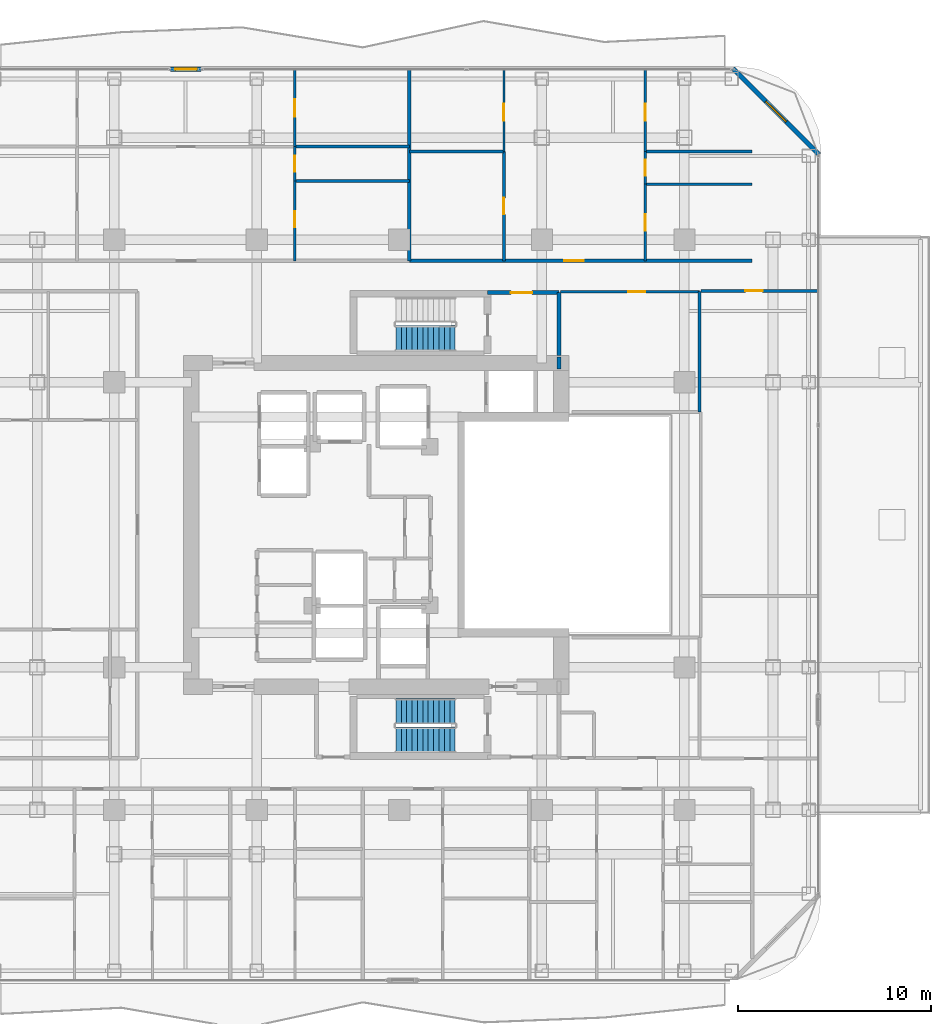
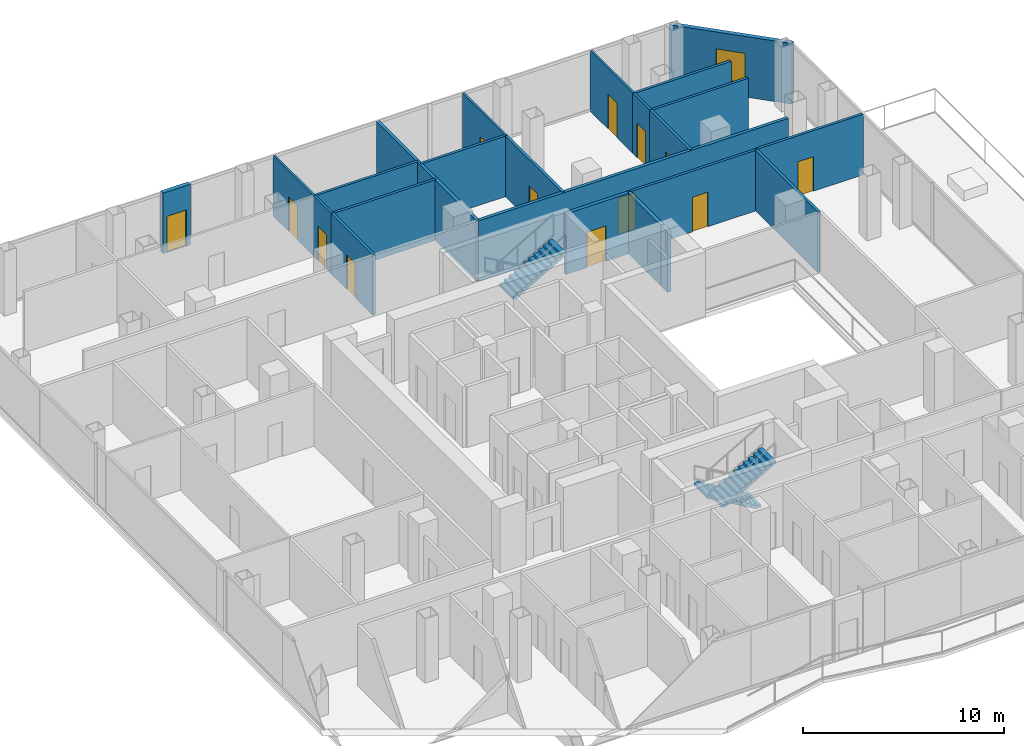
# One storey, part 23 of 27: 23 walls, 13 doors, 3 stair flights, 1 window, 14 openings, 2 elements without a shape of their own.
"""IFC4 building model written with IfcOpenShell, lengths in metres."""

from ifc_helpers import new_model, si_unit, direction, frame, frame_2d, origin, place, context, subcontext, project, spatial, polyline, rectangle, outline, extrude, material, layer, layer_set, type_object, element, fill, aggregate, save


model = new_model("IFC4")

# Units and contexts
model_context = context("Model", 3, precision=1e-05, world=origin(), true_north=direction((0.0, 1.0)))
body_context = subcontext(model_context, "Body", "Model", "MODEL_VIEW")
ifc_project = project(units=[si_unit("LENGTHUNIT", "METRE"), si_unit("AREAUNIT", "SQUARE_METRE"), si_unit("VOLUMEUNIT", "CUBIC_METRE"), si_unit("PLANEANGLEUNIT", "RADIAN"), si_unit("MASSUNIT", "GRAM", prefix="KILO")], contexts=[model_context])

# Site, building, storey
site_placement = place(None, origin())
site = spatial("IfcSite", under=ifc_project, at=site_placement, CompositionType="ELEMENT")
building_placement = place(site_placement, origin())
building = spatial("IfcBuilding", under=site, at=building_placement, Name="Khorvyn Point Tower", CompositionType="ELEMENT")
storey_placement = place(building_placement, frame((0.0, 0.0, 168.0)))
storey = spatial("IfcBuildingStorey", under=building, at=storey_placement, Name="L41", CompositionType="ELEMENT", Elevation=168.0)

# Wall, opening, door
ifc_material_1 = material(Name="Double acoustic gypsum on twin steel stud", Category="steel")
ifc_layer_1 = layer(ifc_material_1, 0.179931640625)
ifc_layer_set_1 = layer_set([ifc_layer_1], Name="Acoustic Double-Stud Apartment Demising Wall 180")
wall_type_1 = type_object("IfcWallType", Name="Acoustic Double-Stud Apartment Demising Wall 180", PredefinedType="PARTITIONING", material=ifc_layer_set_1)
wall_1_placement = place(storey_placement, frame((0.52587890625, 13.699951171875, 0.0), z_axis=(0.0, 0.0, 1.0), x_axis=(1.0, 0.0, 0.0)))
wall_1 = element("IfcWall", 1, at=wall_1_placement, inside=storey, type_object=wall_type_1, Name="Wall", PredefinedType="PARTITIONING", context=body_context, shape_type="SweptSolid", body=[
    extrude(rectangle(XDim=17.794189453125, YDim=0.179931640625, at=frame_2d((8.89697265625, 0.0))), origin(), (0.0, 0.0, 1.0), 3.679931640625),
])
opening_1_placement = place(wall_1_placement, frame((8.038818359375, 0.0, 0.0)))
opening_1 = element("IfcOpeningElement", 2, at=opening_1_placement, cuts=wall_1, Name="Opening ID-AP60", PredefinedType="OPENING", context=body_context, shape_type="SweptSolid", body=[
    extrude(rectangle(XDim=1.0, YDim=2.199951171875, at=frame_2d((0.5, 1.10009765625))), frame((0.0, 0.099853515625, 0.0), z_axis=(0.0, -1.0, 0.0), x_axis=(1.0, 0.0, 0.0)), (0.0, 0.0, 1.0), 0.199951171875),
])
ifc_material_2 = material(Name="Engineered hardwood fire-rated leaf", Category="wood")
door_type_1 = type_object("IfcDoorType", Name="Acoustic Solid-Core Timber Apartment Entrance Door 1000x2200", OperationType="NOTDEFINED", PredefinedType="DOOR", material=ifc_material_2)
door_1_placement = place(opening_1_placement, origin())
door_1 = element("IfcDoor", 3, at=door_1_placement, inside=storey, type_object=door_type_1, Name="Door", OperationType="SINGLE_SWING_RIGHT", OverallHeight=2.199951171875, OverallWidth=1.0, PredefinedType="DOOR", context=body_context, shape_type="SweptSolid", body=[
    extrude(rectangle(XDim=1.0, YDim=2.199951171875, at=frame_2d((0.5, 1.10009765625))), frame((0.0, 0.02490234375, 0.0), z_axis=(0.0, -1.0, 0.0), x_axis=(1.0, 0.0, 0.0)), (0.0, 0.0, 1.0), 0.050048828125),
])
fill(opening_1, door_1)

# Wall
wall_2_placement = place(storey_placement, frame((0.52587890625, 13.699951171875, 0.0), z_axis=(0.0, 0.0, 1.0), x_axis=(0.0, 1.0, 0.0)))
element("IfcWall", 4, at=wall_2_placement, inside=storey, type_object=wall_type_1, Name="Wall", PredefinedType="PARTITIONING", context=body_context, shape_type="SweptSolid", body=[
    extrude(rectangle(XDim=9.929931640625, YDim=0.179931640625, at=frame_2d((4.96484375, 0.0))), origin(), (0.0, 0.0, 1.0), 3.679931640625),
])

# Wall, opening, door
ifc_material_3 = material(Name="Pale anodised aluminium rainscreen on steel stud", Category="steel")
ifc_layer_2 = layer(ifc_material_3, 0.239990234375)
ifc_layer_set_2 = layer_set([ifc_layer_2], Name="Anodised Aluminium Insulated Corner Spandrel Wall 240")
wall_type_2 = type_object("IfcWallType", Name="Anodised Aluminium Insulated Corner Spandrel Wall 240", PredefinedType="SOLIDWALL", material=ifc_layer_set_2)
wall_3_placement = place(storey_placement, frame((-11.866943359375, 23.64990234375, 0.0), z_axis=(0.0, 0.0, 1.0), x_axis=(1.0, 0.0, 0.0)))
wall_3 = element("IfcWall", 5, at=wall_3_placement, inside=storey, type_object=wall_type_2, Name="L41 North Outdoor Threshold Wall", PredefinedType="SOLIDWALL", context=body_context, shape_type="SweptSolid", body=[
    extrude(rectangle(XDim=1.579833984375, YDim=0.239990234375, at=frame_2d((0.7900390625, 0.0))), origin(), (0.0, 0.0, 1.0), 3.679931640625),
])
opening_2_placement = place(wall_3_placement, frame((0.239990234375, 0.0, 0.0)))
opening_2 = element("IfcOpeningElement", 6, at=opening_2_placement, cuts=wall_3, Name="Opening BD-1122", PredefinedType="OPENING", context=body_context, shape_type="SweptSolid", body=[
    extrude(rectangle(XDim=1.10009765625, YDim=2.199951171875, at=frame_2d((0.550048828125, 1.10009765625))), frame((0.0, 0.1298828125, 0.0), z_axis=(0.0, -1.0, 0.0), x_axis=(1.0, 0.0, 0.0)), (0.0, 0.0, 1.0), 0.260009765625),
])
ifc_material_4 = material(Name="Anodised aluminium 6063-T6 and laminated Low-E glass", Category="aluminium")
door_type_2 = type_object("IfcDoorType", Name="Glazed Balcony and Terrace Threshold Door 1100x2200", OperationType="NOTDEFINED", PredefinedType="DOOR", material=ifc_material_4)
door_2_placement = place(opening_2_placement, origin())
door_2 = element("IfcDoor", 7, at=door_2_placement, inside=storey, type_object=door_type_2, Name="L41 North Glazed Balcony Outdoor Door", OperationType="SINGLE_SWING_LEFT", OverallHeight=2.199951171875, OverallWidth=1.10009765625, PredefinedType="DOOR", context=body_context, shape_type="SweptSolid", body=[
    extrude(rectangle(XDim=1.10009765625, YDim=2.199951171875, at=frame_2d((0.550048828125, 1.10009765625))), frame((0.0, 0.02490234375, 0.0), z_axis=(0.0, -1.0, 0.0), x_axis=(1.0, 0.0, 0.0)), (0.0, 0.0, 1.0), 0.050048828125),
])
fill(opening_2, door_2)

# Wall, opening, window
wall_4_placement = place(storey_placement, frame((17.3076171875, 23.6923828125, 0.0), z_axis=(0.0, 0.0, 1.0), x_axis=(0.707106781187, -0.707106781187, 0.0)))
wall_4 = element("IfcWall", 8, at=wall_4_placement, inside=storey, type_object=wall_type_2, Name="L41 Rounded Corner Wall NE", PredefinedType="SOLIDWALL", context=body_context, shape_type="SweptSolid", body=[
    extrude(rectangle(XDim=6.342529296875, YDim=0.239990234375, at=frame_2d((3.17138671875, 0.0))), origin(), (0.0, 0.0, 1.0), 3.679931640625),
])
opening_3_placement = place(wall_4_placement, frame((2.42138671875, 0.0, 0.800048828125)))
opening_3 = element("IfcOpeningElement", 9, at=opening_3_placement, cuts=wall_4, Name="Opening WN-1518", PredefinedType="OPENING", context=body_context, shape_type="SweptSolid", body=[
    extrude(rectangle(XDim=1.5, YDim=1.85009765625, at=frame_2d((0.75, 0.925048828125))), frame((0.0, 0.1298828125, 0.0), z_axis=(0.0, -1.0, 0.0), x_axis=(1.0, 0.0, 0.0)), (0.0, 0.0, 1.0), 0.260009765625),
])
window_type = type_object("IfcWindowType", Name="Anodised Aluminium Rounded-Corner Panoramic Window 1500x1850", PartitioningType="SINGLE_PANEL", PredefinedType="WINDOW", material=ifc_material_4)
window_placement = place(opening_3_placement, origin())
window = element("IfcWindow", 10, at=window_placement, inside=storey, type_object=window_type, Name="L41 Corner Panoramic Window NE", OverallHeight=1.85009765625, OverallWidth=1.5, PartitioningType="SINGLE_PANEL", PredefinedType="WINDOW", context=body_context, shape_type="SweptSolid", body=[
    extrude(rectangle(XDim=1.5, YDim=1.85009765625, at=frame_2d((0.75, 0.925048828125))), frame((0.0, 0.030029296875, 0.0), z_axis=(0.0, -1.0, 0.0), x_axis=(1.0, 0.0, 0.0)), (0.0, 0.0, 1.0), 0.06005859375),
])
fill(opening_3, window)

# Wall, opening, door
ifc_material_5 = material(Name="Concrete C40/50", Category="concrete")
ifc_layer_3 = layer(ifc_material_5, 0.199951171875)
ifc_layer_set_3 = layer_set([ifc_layer_3], Name="Concrete C40/50 Fire-Lobby Compartment Wall 200")
wall_type_3 = type_object("IfcWallType", Name="Concrete C40/50 Fire-Lobby Compartment Wall 200", PredefinedType="SOLIDWALL", material=ifc_layer_set_3)
wall_5_placement = place(storey_placement, frame((4.580078125, 12.06005859375, 0.0), z_axis=(0.0, 0.0, 1.0), x_axis=(1.0, 0.0, 0.0)))
wall_5 = element("IfcWall", 11, at=wall_5_placement, inside=storey, type_object=wall_type_3, Name="Wall", PredefinedType="SOLIDWALL", context=body_context, shape_type="SweptSolid", body=[
    extrude(rectangle(XDim=3.699951171875, YDim=0.199951171875, at=frame_2d((1.85009765625, 0.0))), origin(), (0.0, 0.0, 1.0), 3.679931640625),
])
opening_4_placement = place(wall_5_placement, frame((1.21240234375, 0.0, 0.0)))
opening_4 = element("IfcOpeningElement", 12, at=opening_4_placement, cuts=wall_5, Name="Opening ID-FL90", PredefinedType="OPENING", context=body_context, shape_type="SweptSolid", body=[
    extrude(rectangle(XDim=1.10009765625, YDim=2.14990234375, at=frame_2d((0.550048828125, 1.074951171875))), frame((0.0, 0.10986328125, 0.0), z_axis=(0.0, -1.0, 0.0), x_axis=(1.0, 0.0, 0.0)), (0.0, 0.0, 1.0), 0.219970703125),
])
ifc_material_6 = material(Name="Galvanised powder-coated steel", Category="steel")
door_type_3 = type_object("IfcDoorType", Name="Fire-Rated Steel Lobby and Stair Door 1100x2150", OperationType="NOTDEFINED", PredefinedType="DOOR", material=ifc_material_6)
door_3_placement = place(opening_4_placement, origin())
door_3 = element("IfcDoor", 13, at=door_3_placement, inside=storey, type_object=door_type_3, Name="Door", OperationType="SINGLE_SWING_LEFT", OverallHeight=2.14990234375, OverallWidth=1.10009765625, PredefinedType="DOOR", context=body_context, shape_type="SweptSolid", body=[
    extrude(rectangle(XDim=1.10009765625, YDim=2.14990234375, at=frame_2d((0.550048828125, 1.074951171875))), frame((0.0, 0.02490234375, 0.0), z_axis=(0.0, -1.0, 0.0), x_axis=(1.0, 0.0, 0.0)), (0.0, 0.0, 1.0), 0.050048828125),
])
fill(opening_4, door_3)

# Walls
wall_6_placement = place(storey_placement, frame((8.280029296875, 8.800048828125, 0.0), z_axis=(0.0, 0.0, 1.0), x_axis=(0.0, 1.0, 0.0)))
element("IfcWall", 14, at=wall_6_placement, inside=storey, type_object=wall_type_3, Name="Wall", PredefinedType="SOLIDWALL", context=body_context, shape_type="SweptSolid", body=[
    extrude(rectangle(XDim=3.260009765625, YDim=0.199951171875, at=frame_2d((1.6298828125, 0.0))), origin(), (0.0, 0.0, 1.0), 3.679931640625),
])
wall_7_placement = place(storey_placement, frame((8.280029296875, 8.10009765625, 0.0), z_axis=(0.0, 0.0, 1.0), x_axis=(0.0, 1.0, 0.0)))
element("IfcWall", 15, at=wall_7_placement, inside=storey, type_object=wall_type_3, Name="Wall", PredefinedType="SOLIDWALL", context=body_context, shape_type="SweptSolid", body=[
    extrude(rectangle(XDim=0.625, YDim=0.199951171875, at=frame_2d((0.3125, 0.0))), origin(), (0.0, 0.0, 1.0), 3.679931640625),
])

# Wall, opening, door
ifc_material_7 = material(Name="Gypsum plasterboard on steel stud", Category="steel")
ifc_layer_4 = layer(ifc_material_7, 0.1201171875)
ifc_layer_set_4 = layer_set([ifc_layer_4], Name="Gypsum Acoustic Stud Room Partition Wall 120")
wall_type_4 = type_object("IfcWallType", Name="Gypsum Acoustic Stud Room Partition Wall 120", PredefinedType="PARTITIONING", material=ifc_layer_set_4)
wall_8_placement = place(storey_placement, frame((-5.427978515625, 17.85400390625, 0.0), z_axis=(0.0, 0.0, 1.0), x_axis=(0.0, 1.0, 0.0)))
wall_8 = element("IfcWall", 16, at=wall_8_placement, inside=storey, type_object=wall_type_4, Name="Wall", PredefinedType="PARTITIONING", context=body_context, shape_type="SweptSolid", body=[
    extrude(rectangle(XDim=1.780029296875, YDim=0.1201171875, at=frame_2d((0.89013671875, 0.0))), origin(), (0.0, 0.0, 1.0), 3.679931640625),
])
opening_5_placement = place(wall_8_placement, frame((0.465087890625, 0.0, 0.0)))
opening_5 = element("IfcOpeningElement", 17, at=opening_5_placement, cuts=wall_8, Name="Opening ID-WC85", PredefinedType="OPENING", context=body_context, shape_type="SweptSolid", body=[
    extrude(rectangle(XDim=0.85009765625, YDim=2.10009765625, at=frame_2d((0.425048828125, 1.050048828125))), frame((0.0, 0.070068359375, 0.0), z_axis=(0.0, -1.0, 0.0), x_axis=(1.0, 0.0, 0.0)), (0.0, 0.0, 1.0), 0.14013671875),
])
ifc_material_8 = material(Name="High-pressure laminate on moisture-resistant core", Category="wood")
door_type_4 = type_object("IfcDoorType", Name="Moisture-Resistant Accessible Washroom Door 850x2100", OperationType="NOTDEFINED", PredefinedType="DOOR", material=ifc_material_8)
door_4_placement = place(opening_5_placement, origin())
door_4 = element("IfcDoor", 18, at=door_4_placement, inside=storey, type_object=door_type_4, Name="Door", OperationType="SINGLE_SWING_RIGHT", OverallHeight=2.10009765625, OverallWidth=0.85009765625, PredefinedType="DOOR", context=body_context, shape_type="SweptSolid", body=[
    extrude(rectangle(XDim=0.85009765625, YDim=2.10009765625, at=frame_2d((0.425048828125, 1.050048828125))), frame((0.0, 0.02490234375, 0.0), z_axis=(0.0, -1.0, 0.0), x_axis=(1.0, 0.0, 0.0)), (0.0, 0.0, 1.0), 0.050048828125),
])
fill(opening_5, door_4)

wall_9_placement = place(storey_placement, frame((-5.427978515625, 19.634033203125, 0.0), z_axis=(0.0, 0.0, 1.0), x_axis=(0.0, 1.0, 0.0)))
wall_9 = element("IfcWall", 19, at=wall_9_placement, inside=storey, type_object=wall_type_4, Name="Wall", PredefinedType="PARTITIONING", context=body_context, shape_type="SweptSolid", body=[
    extrude(rectangle(XDim=3.995849609375, YDim=0.1201171875, at=frame_2d((1.998046875, 0.0))), origin(), (0.0, 0.0, 1.0), 3.679931640625),
])
opening_6_placement = place(wall_9_placement, frame((1.548095703125, 0.0, 0.0)))
opening_6 = element("IfcOpeningElement", 20, at=opening_6_placement, cuts=wall_9, Name="Opening ID-RM90", PredefinedType="OPENING", context=body_context, shape_type="SweptSolid", body=[
    extrude(rectangle(XDim=0.89990234375, YDim=2.10009765625, at=frame_2d((0.449951171875, 1.050048828125))), frame((0.0, 0.070068359375, 0.0), z_axis=(0.0, -1.0, 0.0), x_axis=(1.0, 0.0, 0.0)), (0.0, 0.0, 1.0), 0.14013671875),
])
ifc_material_9 = material(Name="Engineered oak veneer timber", Category="wood")
door_type_5 = type_object("IfcDoorType", Name="Flush Engineered Timber Room Door 900x2100", OperationType="NOTDEFINED", PredefinedType="DOOR", material=ifc_material_9)
door_5_placement = place(opening_6_placement, origin())
door_5 = element("IfcDoor", 21, at=door_5_placement, inside=storey, type_object=door_type_5, Name="Door", OperationType="SINGLE_SWING_LEFT", OverallHeight=2.10009765625, OverallWidth=0.89990234375, PredefinedType="DOOR", context=body_context, shape_type="SweptSolid", body=[
    extrude(rectangle(XDim=0.89990234375, YDim=2.10009765625, at=frame_2d((0.449951171875, 1.050048828125))), frame((0.0, 0.02490234375, 0.0), z_axis=(0.0, -1.0, 0.0), x_axis=(1.0, 0.0, 0.0)), (0.0, 0.0, 1.0), 0.050048828125),
])
fill(opening_6, door_5)

wall_10_placement = place(storey_placement, frame((5.430908203125, 19.389892578125, 0.0), z_axis=(0.0, 0.0, 1.0), x_axis=(0.0, 1.0, 0.0)))
wall_10 = element("IfcWall", 22, at=wall_10_placement, inside=storey, type_object=wall_type_4, Name="Wall", PredefinedType="PARTITIONING", context=body_context, shape_type="SweptSolid", body=[
    extrude(rectangle(XDim=4.239990234375, YDim=0.1201171875, at=frame_2d((2.1201171875, 0.0))), origin(), (0.0, 0.0, 1.0), 3.679931640625),
])
opening_7_placement = place(wall_10_placement, frame((1.581298828125, 0.0, 0.0)))
opening_7 = element("IfcOpeningElement", 23, at=opening_7_placement, cuts=wall_10, Name="Opening ID-RM90", PredefinedType="OPENING", context=body_context, shape_type="SweptSolid", body=[
    extrude(rectangle(XDim=0.89990234375, YDim=2.10009765625, at=frame_2d((0.449951171875, 1.050048828125))), frame((0.0, 0.070068359375, 0.0), z_axis=(0.0, -1.0, 0.0), x_axis=(1.0, 0.0, 0.0)), (0.0, 0.0, 1.0), 0.14013671875),
])
door_6_placement = place(opening_7_placement, origin())
door_6 = element("IfcDoor", 24, at=door_6_placement, inside=storey, type_object=door_type_5, Name="Door", OperationType="SINGLE_SWING_RIGHT", OverallHeight=2.10009765625, OverallWidth=0.89990234375, PredefinedType="DOOR", context=body_context, shape_type="SweptSolid", body=[
    extrude(rectangle(XDim=0.89990234375, YDim=2.10009765625, at=frame_2d((0.449951171875, 1.050048828125))), frame((0.0, 0.02490234375, 0.0), z_axis=(0.0, -1.0, 0.0), x_axis=(1.0, 0.0, 0.0)), (0.0, 0.0, 1.0), 0.050048828125),
])
fill(opening_7, door_6)

wall_11_placement = place(storey_placement, frame((12.76806640625, 17.68310546875, 0.0), z_axis=(0.0, 0.0, 1.0), x_axis=(0.0, 1.0, 0.0)))
wall_11 = element("IfcWall", 25, at=wall_11_placement, inside=storey, type_object=wall_type_4, Name="Wall", PredefinedType="PARTITIONING", context=body_context, shape_type="SweptSolid", body=[
    extrude(rectangle(XDim=1.706787109375, YDim=0.1201171875, at=frame_2d((0.853515625, 0.0))), origin(), (0.0, 0.0, 1.0), 3.679931640625),
])
opening_8_placement = place(wall_11_placement, frame((0.428466796875, 0.0, 0.0)))
opening_8 = element("IfcOpeningElement", 26, at=opening_8_placement, cuts=wall_11, Name="Opening ID-WC85", PredefinedType="OPENING", context=body_context, shape_type="SweptSolid", body=[
    extrude(rectangle(XDim=0.85009765625, YDim=2.10009765625, at=frame_2d((0.425048828125, 1.050048828125))), frame((0.0, 0.070068359375, 0.0), z_axis=(0.0, -1.0, 0.0), x_axis=(1.0, 0.0, 0.0)), (0.0, 0.0, 1.0), 0.14013671875),
])
door_7_placement = place(opening_8_placement, origin())
door_7 = element("IfcDoor", 27, at=door_7_placement, inside=storey, type_object=door_type_4, Name="Door", OperationType="SINGLE_SWING_RIGHT", OverallHeight=2.10009765625, OverallWidth=0.85009765625, PredefinedType="DOOR", context=body_context, shape_type="SweptSolid", body=[
    extrude(rectangle(XDim=0.85009765625, YDim=2.10009765625, at=frame_2d((0.425048828125, 1.050048828125))), frame((0.0, 0.02490234375, 0.0), z_axis=(0.0, -1.0, 0.0), x_axis=(1.0, 0.0, 0.0)), (0.0, 0.0, 1.0), 0.050048828125),
])
fill(opening_8, door_7)

wall_12_placement = place(storey_placement, frame((12.76806640625, 19.389892578125, 0.0), z_axis=(0.0, 0.0, 1.0), x_axis=(0.0, 1.0, 0.0)))
wall_12 = element("IfcWall", 28, at=wall_12_placement, inside=storey, type_object=wall_type_4, Name="Wall", PredefinedType="PARTITIONING", context=body_context, shape_type="SweptSolid", body=[
    extrude(rectangle(XDim=4.239990234375, YDim=0.1201171875, at=frame_2d((2.1201171875, 0.0))), origin(), (0.0, 0.0, 1.0), 3.679931640625),
])
opening_9_placement = place(wall_12_placement, frame((1.581298828125, 0.0, 0.0)))
opening_9 = element("IfcOpeningElement", 29, at=opening_9_placement, cuts=wall_12, Name="Opening ID-RM90", PredefinedType="OPENING", context=body_context, shape_type="SweptSolid", body=[
    extrude(rectangle(XDim=0.89990234375, YDim=2.10009765625, at=frame_2d((0.449951171875, 1.050048828125))), frame((0.0, 0.070068359375, 0.0), z_axis=(0.0, -1.0, 0.0), x_axis=(1.0, 0.0, 0.0)), (0.0, 0.0, 1.0), 0.14013671875),
])
door_8_placement = place(opening_9_placement, origin())
door_8 = element("IfcDoor", 30, at=door_8_placement, inside=storey, type_object=door_type_5, Name="Door", OperationType="SINGLE_SWING_LEFT", OverallHeight=2.10009765625, OverallWidth=0.89990234375, PredefinedType="DOOR", context=body_context, shape_type="SweptSolid", body=[
    extrude(rectangle(XDim=0.89990234375, YDim=2.10009765625, at=frame_2d((0.449951171875, 1.050048828125))), frame((0.0, 0.02490234375, 0.0), z_axis=(0.0, -1.0, 0.0), x_axis=(1.0, 0.0, 0.0)), (0.0, 0.0, 1.0), 0.050048828125),
])
fill(opening_9, door_8)

ifc_material_10 = material(Name="Moisture-resistant gypsum and cement board", Category="gypsum")
ifc_layer_5 = layer(ifc_material_10, 0.14990234375)
ifc_layer_set_5 = layer_set([ifc_layer_5], Name="Moisture-Resistant Wet-Room Partition Wall 150")
wall_type_5 = type_object("IfcWallType", Name="Moisture-Resistant Wet-Room Partition Wall 150", PredefinedType="PARTITIONING", material=ifc_layer_set_5)
wall_13_placement = place(storey_placement, frame((8.360107421875, 12.10009765625, 0.0), z_axis=(0.0, 0.0, 1.0), x_axis=(1.0, 0.0, 0.0)))
wall_13 = element("IfcWall", 31, at=wall_13_placement, inside=storey, type_object=wall_type_5, Name="Wall", PredefinedType="PARTITIONING", context=body_context, shape_type="SweptSolid", body=[
    extrude(rectangle(XDim=7.219970703125, YDim=0.14990234375, at=frame_2d((3.60986328125, 0.0))), origin(), (0.0, 0.0, 1.0), 3.679931640625),
])
opening_10_placement = place(wall_13_placement, frame((3.512939453125, 0.0, 0.0)))
opening_10 = element("IfcOpeningElement", 32, at=opening_10_placement, cuts=wall_13, Name="Opening ID-RM90", PredefinedType="OPENING", context=body_context, shape_type="SweptSolid", body=[
    extrude(rectangle(XDim=0.89990234375, YDim=2.10009765625, at=frame_2d((0.449951171875, 1.050048828125))), frame((0.0, 0.0849609375, 0.0), z_axis=(0.0, -1.0, 0.0), x_axis=(1.0, 0.0, 0.0)), (0.0, 0.0, 1.0), 0.169921875),
])
door_9_placement = place(opening_10_placement, origin())
door_9 = element("IfcDoor", 33, at=door_9_placement, inside=storey, type_object=door_type_5, Name="Door", OperationType="SINGLE_SWING_RIGHT", OverallHeight=2.10009765625, OverallWidth=0.89990234375, PredefinedType="DOOR", context=body_context, shape_type="SweptSolid", body=[
    extrude(rectangle(XDim=0.89990234375, YDim=2.10009765625, at=frame_2d((0.449951171875, 1.050048828125))), frame((0.0, 0.02490234375, 0.0), z_axis=(0.0, -1.0, 0.0), x_axis=(1.0, 0.0, 0.0)), (0.0, 0.0, 1.0), 0.050048828125),
])
fill(opening_10, door_9)

wall_14_placement = place(storey_placement, frame((-5.427978515625, 13.699951171875, 0.0), z_axis=(0.0, 0.0, 1.0), x_axis=(0.0, 1.0, 0.0)))
wall_14 = element("IfcWall", 34, at=wall_14_placement, inside=storey, type_object=wall_type_5, Name="Wall", PredefinedType="PARTITIONING", context=body_context, shape_type="SweptSolid", body=[
    extrude(rectangle(XDim=4.154052734375, YDim=0.14990234375, at=frame_2d((2.0771484375, 0.0))), origin(), (0.0, 0.0, 1.0), 3.679931640625),
])
opening_11_placement = place(wall_14_placement, frame((1.73974609375, 0.0, 0.0)))
opening_11 = element("IfcOpeningElement", 35, at=opening_11_placement, cuts=wall_14, Name="Opening ID-WC85", PredefinedType="OPENING", context=body_context, shape_type="SweptSolid", body=[
    extrude(rectangle(XDim=0.85009765625, YDim=2.10009765625, at=frame_2d((0.425048828125, 1.050048828125))), frame((0.0, 0.0849609375, 0.0), z_axis=(0.0, -1.0, 0.0), x_axis=(1.0, 0.0, 0.0)), (0.0, 0.0, 1.0), 0.169921875),
])
door_10_placement = place(opening_11_placement, origin())
door_10 = element("IfcDoor", 36, at=door_10_placement, inside=storey, type_object=door_type_4, Name="Door", OperationType="SINGLE_SWING_LEFT", OverallHeight=2.10009765625, OverallWidth=0.85009765625, PredefinedType="DOOR", context=body_context, shape_type="SweptSolid", body=[
    extrude(rectangle(XDim=0.85009765625, YDim=2.10009765625, at=frame_2d((0.425048828125, 1.050048828125))), frame((0.0, 0.02490234375, 0.0), z_axis=(0.0, -1.0, 0.0), x_axis=(1.0, 0.0, 0.0)), (0.0, 0.0, 1.0), 0.050048828125),
])
fill(opening_11, door_10)

wall_15_placement = place(storey_placement, frame((5.430908203125, 13.699951171875, 0.0), z_axis=(0.0, 0.0, 1.0), x_axis=(0.0, 1.0, 0.0)))
wall_15 = element("IfcWall", 37, at=wall_15_placement, inside=storey, type_object=wall_type_5, Name="Wall", PredefinedType="PARTITIONING", context=body_context, shape_type="SweptSolid", body=[
    extrude(rectangle(XDim=5.68994140625, YDim=0.14990234375, at=frame_2d((2.844970703125, 0.0))), origin(), (0.0, 0.0, 1.0), 3.679931640625),
])
opening_12_placement = place(wall_15_placement, frame((2.419921875, 0.0, 0.0)))
opening_12 = element("IfcOpeningElement", 38, at=opening_12_placement, cuts=wall_15, Name="Opening ID-WC85", PredefinedType="OPENING", context=body_context, shape_type="SweptSolid", body=[
    extrude(rectangle(XDim=0.85009765625, YDim=2.10009765625, at=frame_2d((0.425048828125, 1.050048828125))), frame((0.0, 0.0849609375, 0.0), z_axis=(0.0, -1.0, 0.0), x_axis=(1.0, 0.0, 0.0)), (0.0, 0.0, 1.0), 0.169921875),
])
door_11_placement = place(opening_12_placement, origin())
door_11 = element("IfcDoor", 39, at=door_11_placement, inside=storey, type_object=door_type_4, Name="Door", OperationType="SINGLE_SWING_LEFT", OverallHeight=2.10009765625, OverallWidth=0.85009765625, PredefinedType="DOOR", context=body_context, shape_type="SweptSolid", body=[
    extrude(rectangle(XDim=0.85009765625, YDim=2.10009765625, at=frame_2d((0.425048828125, 1.050048828125))), frame((0.0, 0.02490234375, 0.0), z_axis=(0.0, -1.0, 0.0), x_axis=(1.0, 0.0, 0.0)), (0.0, 0.0, 1.0), 0.050048828125),
])
fill(opening_12, door_11)

wall_16_placement = place(storey_placement, frame((12.76806640625, 13.699951171875, 0.0), z_axis=(0.0, 0.0, 1.0), x_axis=(0.0, 1.0, 0.0)))
wall_16 = element("IfcWall", 40, at=wall_16_placement, inside=storey, type_object=wall_type_5, Name="Wall", PredefinedType="PARTITIONING", context=body_context, shape_type="SweptSolid", body=[
    extrude(rectangle(XDim=3.983154296875, YDim=0.14990234375, at=frame_2d((1.99169921875, 0.0))), origin(), (0.0, 0.0, 1.0), 3.679931640625),
])
opening_13_placement = place(wall_16_placement, frame((1.56640625, 0.0, 0.0)))
opening_13 = element("IfcOpeningElement", 41, at=opening_13_placement, cuts=wall_16, Name="Opening ID-WC85", PredefinedType="OPENING", context=body_context, shape_type="SweptSolid", body=[
    extrude(rectangle(XDim=0.85009765625, YDim=2.10009765625, at=frame_2d((0.425048828125, 1.050048828125))), frame((0.0, 0.0849609375, 0.0), z_axis=(0.0, -1.0, 0.0), x_axis=(1.0, 0.0, 0.0)), (0.0, 0.0, 1.0), 0.169921875),
])
door_12_placement = place(opening_13_placement, origin())
door_12 = element("IfcDoor", 42, at=door_12_placement, inside=storey, type_object=door_type_4, Name="Door", OperationType="SINGLE_SWING_LEFT", OverallHeight=2.10009765625, OverallWidth=0.85009765625, PredefinedType="DOOR", context=body_context, shape_type="SweptSolid", body=[
    extrude(rectangle(XDim=0.85009765625, YDim=2.10009765625, at=frame_2d((0.425048828125, 1.050048828125))), frame((0.0, 0.02490234375, 0.0), z_axis=(0.0, -1.0, 0.0), x_axis=(1.0, 0.0, 0.0)), (0.0, 0.0, 1.0), 0.050048828125),
])
fill(opening_13, door_12)

wall_17_placement = place(storey_placement, frame((15.64990234375, 12.139892578125, 0.0), z_axis=(0.0, 0.0, 1.0), x_axis=(1.0, 0.0, 0.0)))
wall_17 = element("IfcWall", 43, at=wall_17_placement, inside=storey, type_object=wall_type_5, Name="Wall", PredefinedType="PARTITIONING", context=body_context, shape_type="SweptSolid", body=[
    extrude(rectangle(XDim=6.070068359375, YDim=0.14990234375, at=frame_2d((3.03515625, 0.0))), origin(), (0.0, 0.0, 1.0), 3.679931640625),
])
opening_14_placement = place(wall_17_placement, frame((2.315673828125, 0.0, 0.0)))
opening_14 = element("IfcOpeningElement", 44, at=opening_14_placement, cuts=wall_17, Name="Opening ID-RM90", PredefinedType="OPENING", context=body_context, shape_type="SweptSolid", body=[
    extrude(rectangle(XDim=0.89990234375, YDim=2.10009765625, at=frame_2d((0.449951171875, 1.050048828125))), frame((0.0, 0.0849609375, 0.0), z_axis=(0.0, -1.0, 0.0), x_axis=(1.0, 0.0, 0.0)), (0.0, 0.0, 1.0), 0.169921875),
])
door_13_placement = place(opening_14_placement, origin())
door_13 = element("IfcDoor", 45, at=door_13_placement, inside=storey, type_object=door_type_5, Name="Door", OperationType="SINGLE_SWING_LEFT", OverallHeight=2.10009765625, OverallWidth=0.89990234375, PredefinedType="DOOR", context=body_context, shape_type="SweptSolid", body=[
    extrude(rectangle(XDim=0.89990234375, YDim=2.10009765625, at=frame_2d((0.449951171875, 1.050048828125))), frame((0.0, 0.02490234375, 0.0), z_axis=(0.0, -1.0, 0.0), x_axis=(1.0, 0.0, 0.0)), (0.0, 0.0, 1.0), 0.050048828125),
])
fill(opening_14, door_13)

# Walls
wall_18_placement = place(storey_placement, frame((15.580078125, 5.85009765625, 0.0), z_axis=(0.0, 0.0, 1.0), x_axis=(0.0, 1.0, 0.0)))
element("IfcWall", 46, at=wall_18_placement, inside=storey, type_object=wall_type_5, Name="Wall", PredefinedType="PARTITIONING", context=body_context, shape_type="SweptSolid", body=[
    extrude(rectangle(XDim=6.25, YDim=0.14990234375, at=frame_2d((3.125, 0.0))), origin(), (0.0, 0.0, 1.0), 3.679931640625),
])
for number, where, z_axis, x_axis, name in (
    (47, (-5.427978515625, 17.85400390625, 0.0), (0.0, 0.0, 1.0), (1.0, 0.0, 0.0), "Wall"),
    (48, (-5.427978515625, 19.634033203125, 0.0), (0.0, 0.0, 1.0), (1.0, 0.0, 0.0), "Wall"),
):
    element("IfcWall", number, at=place(storey_placement, frame(where, z_axis=z_axis, x_axis=x_axis)), inside=storey, type_object=wall_type_5, Name=name, PredefinedType="PARTITIONING", context=body_context, shape_type="SweptSolid", body=[
        extrude(rectangle(XDim=5.953857421875, YDim=0.14990234375, at=frame_2d((2.97705078125, 0.0))), origin(), (0.0, 0.0, 1.0), 3.679931640625),
    ])
wall_19_placement = place(storey_placement, frame((0.52587890625, 19.389892578125, 0.0), z_axis=(0.0, 0.0, 1.0), x_axis=(1.0, 0.0, 0.0)))
element("IfcWall", 49, at=wall_19_placement, inside=storey, type_object=wall_type_5, Name="Wall", PredefinedType="PARTITIONING", context=body_context, shape_type="SweptSolid", body=[
    extrude(rectangle(XDim=4.905029296875, YDim=0.14990234375, at=frame_2d((2.45263671875, 0.0))), origin(), (0.0, 0.0, 1.0), 3.679931640625),
])
for number, where, z_axis, x_axis, name in (
    (50, (12.76806640625, 17.68310546875, 0.0), (0.0, 0.0, 1.0), (1.0, 0.0, 0.0), "Wall"),
    (51, (12.76806640625, 19.389892578125, 0.0), (0.0, 0.0, 1.0), (1.0, 0.0, 0.0), "Wall"),
):
    element("IfcWall", number, at=place(storey_placement, frame(where, z_axis=z_axis, x_axis=x_axis)), inside=storey, type_object=wall_type_5, Name=name, PredefinedType="PARTITIONING", context=body_context, shape_type="SweptSolid", body=[
        extrude(rectangle(XDim=5.552001953125, YDim=0.14990234375, at=frame_2d((2.77587890625, 0.0))), origin(), (0.0, 0.0, 1.0), 3.679931640625),
    ])

# Stair, stair flights
stair_type = type_object("IfcStairType", Name="Tower Concrete C40/50 Dogleg Exit Stair", PredefinedType="HALF_TURN_STAIR", material=ifc_material_5)
stair_1_placement = place(storey_placement, origin())
stair_1 = element("IfcStair", 52, at=stair_1_placement, inside=storey, type_object=stair_type, Name="L41 Tower Smokeproof Exit Stair South", PredefinedType="HALF_TURN_STAIR")
stair_flight_type = type_object("IfcStairFlightType", Name="Tower Concrete C40/50 Stair Flight", PredefinedType="STRAIGHT", material=ifc_material_5)
stair_flight_1_placement = place(storey_placement, frame((2.89990234375, -9.679931640625, 0.0), z_axis=(0.0, 0.0, 1.0), x_axis=(-1.0, 0.0, 0.0)))
stair_flight_1 = element("IfcStairFlight", 53, at=stair_flight_1_placement, type_object=stair_flight_type, Name="ST-01 flight 1", NumberOfRisers=12, NumberOfTreads=11, PredefinedType="STRAIGHT", RiserHeight=0.1625, TreadLength=0.28, context=body_context, shape_type="SweptSolid", body=[
    extrude(outline(polyline([(0.0, 0.0), (0.0, 0.16259765625), (0.280029296875, 0.16259765625), (0.280029296875, 0.324951171875), (0.56005859375, 0.324951171875), (0.56005859375, 0.487548828125), (0.840087890625, 0.487548828125), (0.840087890625, 0.64990234375), (1.1201171875, 0.64990234375), (1.1201171875, 0.8125), (1.39990234375, 0.8125), (1.39990234375, 0.97509765625), (1.679931640625, 0.97509765625), (1.679931640625, 1.137451171875), (1.9599609375, 1.137451171875), (1.9599609375, 1.300048828125), (2.239990234375, 1.300048828125), (2.239990234375, 1.46240234375), (2.52001953125, 1.46240234375), (2.52001953125, 1.625), (2.800048828125, 1.625), (2.800048828125, 1.78759765625), (3.080078125, 1.78759765625), (3.080078125, 1.949951171875), (3.080078125, 1.6142578125), (0.298583984375, 0.0), (0.0, 0.0)])), frame((0.0, 0.66015625, 0.0), z_axis=(0.0, -1.0, 0.0), x_axis=(1.0, 0.0, 0.0)), (0.0, 0.0, 1.0), 1.320068359375),
])
stair_flight_2_placement = place(storey_placement, frame((-0.179931640625, -11.159912109375, 1.949951171875), z_axis=(0.0, 0.0, 1.0), x_axis=(1.0, 0.0, 0.0)))
stair_flight_2 = element("IfcStairFlight", 54, at=stair_flight_2_placement, type_object=stair_flight_type, Name="ST-01 flight 2", NumberOfRisers=12, NumberOfTreads=11, PredefinedType="STRAIGHT", RiserHeight=0.1625, TreadLength=0.28, context=body_context, shape_type="SweptSolid", body=[
    extrude(outline(polyline([(0.0, 0.0), (0.0, 0.16259765625), (0.280029296875, 0.16259765625), (0.280029296875, 0.324951171875), (0.56005859375, 0.324951171875), (0.56005859375, 0.487548828125), (0.840087890625, 0.487548828125), (0.840087890625, 0.64990234375), (1.1201171875, 0.64990234375), (1.1201171875, 0.8125), (1.39990234375, 0.8125), (1.39990234375, 0.97509765625), (1.679931640625, 0.97509765625), (1.679931640625, 1.137451171875), (1.9599609375, 1.137451171875), (1.9599609375, 1.300048828125), (2.239990234375, 1.300048828125), (2.239990234375, 1.46240234375), (2.52001953125, 1.46240234375), (2.52001953125, 1.625), (2.800048828125, 1.625), (2.800048828125, 1.78759765625), (3.080078125, 1.78759765625), (3.080078125, 1.949951171875), (3.080078125, 1.6142578125), (0.298583984375, 0.0), (0.0, 0.0)])), frame((0.0, 0.66015625, 0.0), z_axis=(0.0, -1.0, 0.0), x_axis=(1.0, 0.0, 0.0)), (0.0, 0.0, 1.0), 1.320068359375),
])
aggregate(stair_1, [stair_flight_1, stair_flight_2])

# Stair, stair flight
stair_2_placement = place(storey_placement, origin())
stair_2 = element("IfcStair", 55, at=stair_2_placement, inside=storey, type_object=stair_type, Name="L41 Tower Smokeproof Exit Stair North", PredefinedType="HALF_TURN_STAIR")
stair_flight_3_placement = place(storey_placement, frame((-0.179931640625, 9.679931640625, 1.949951171875), z_axis=(0.0, 0.0, 1.0), x_axis=(1.0, 0.0, 0.0)))
stair_flight_3 = element("IfcStairFlight", 56, at=stair_flight_3_placement, type_object=stair_flight_type, Name="ST-02 flight 2", NumberOfRisers=12, NumberOfTreads=11, PredefinedType="STRAIGHT", RiserHeight=0.1625, TreadLength=0.28, context=body_context, shape_type="SweptSolid", body=[
    extrude(outline(polyline([(0.0, 0.0), (0.0, 0.16259765625), (0.280029296875, 0.16259765625), (0.280029296875, 0.324951171875), (0.56005859375, 0.324951171875), (0.56005859375, 0.487548828125), (0.840087890625, 0.487548828125), (0.840087890625, 0.64990234375), (1.1201171875, 0.64990234375), (1.1201171875, 0.8125), (1.39990234375, 0.8125), (1.39990234375, 0.97509765625), (1.679931640625, 0.97509765625), (1.679931640625, 1.137451171875), (1.9599609375, 1.137451171875), (1.9599609375, 1.300048828125), (2.239990234375, 1.300048828125), (2.239990234375, 1.46240234375), (2.52001953125, 1.46240234375), (2.52001953125, 1.625), (2.800048828125, 1.625), (2.800048828125, 1.78759765625), (3.080078125, 1.78759765625), (3.080078125, 1.949951171875), (3.080078125, 1.6142578125), (0.298583984375, 0.0), (0.0, 0.0)])), frame((0.0, 0.66015625, 0.0), z_axis=(0.0, -1.0, 0.0), x_axis=(1.0, 0.0, 0.0)), (0.0, 0.0, 1.0), 1.320068359375),
])
aggregate(stair_2, [stair_flight_3])

save(model, "model.ifc")
